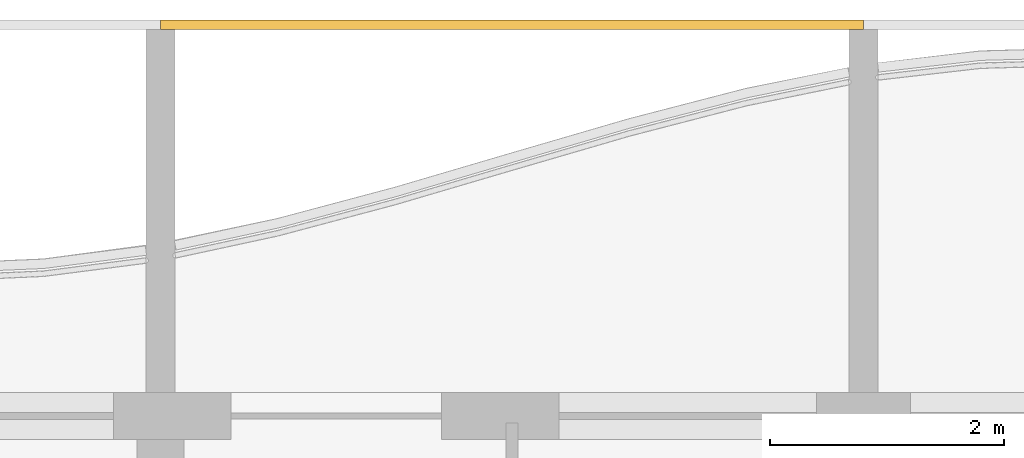
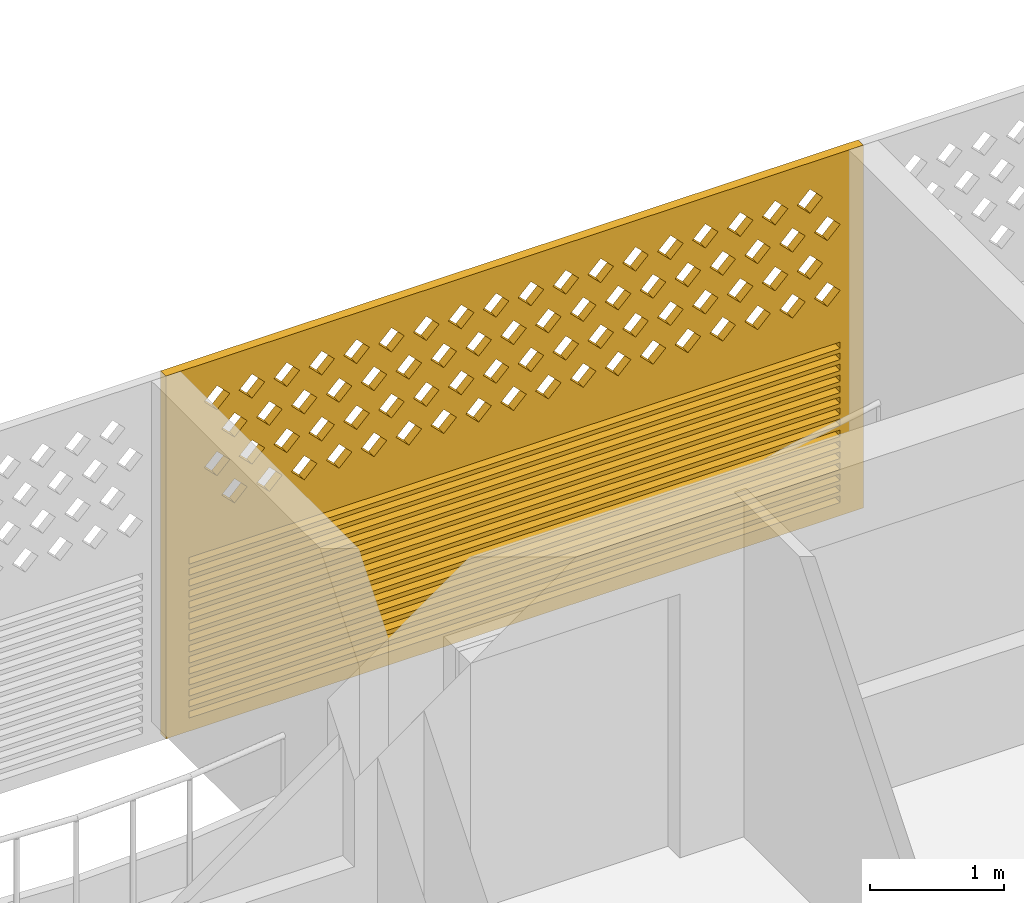
# One storey, part 33 of 44: 1 covering.
"""IFC4 building model written with IfcOpenShell, lengths in metres."""

from ifc_helpers import new_model, si_unit, direction, frame, origin, place, context, subcontext, project, spatial, polyline, outline, extrude, source, transform, mapped, material, material_profile, profile_set, type_object, element, save


model = new_model("IFC4")

# Units and contexts
model_context = context("Model", 3, precision=1e-05, world=origin(), true_north=direction((0.0, 1.0)))
body_context = subcontext(model_context, "Body", "Model", "MODEL_VIEW")
ifc_project = project(units=[si_unit("LENGTHUNIT", "METRE"), si_unit("AREAUNIT", "SQUARE_METRE"), si_unit("VOLUMEUNIT", "CUBIC_METRE"), si_unit("PLANEANGLEUNIT", "RADIAN"), si_unit("MASSUNIT", "GRAM", prefix="KILO")], contexts=[model_context])

# Site, building, storey
site_placement = place(None, origin())
site = spatial("IfcSite", under=ifc_project, at=site_placement, CompositionType="ELEMENT")
building_placement = place(site_placement, origin())
building = spatial("IfcBuilding", under=site, at=building_placement, Name="Poui Terraces", CompositionType="ELEMENT")
storey_placement = place(building_placement, frame((0.0, 0.0, 30.0)))
storey = spatial("IfcBuildingStorey", under=building, at=storey_placement, Name="L07", CompositionType="ELEMENT", Elevation=30.0)

# Covering
ifc_material = material(Name="Terracotta screen", Category="masonry")
ifc_material_profile = material_profile(ifc_material, outline(polyline([(-3.0, -1.64990234375), (3.0, -1.64990234375), (3.0, 1.64990234375), (-3.0, 1.64990234375), (-3.0, -1.64990234375)]), holes=[polyline([(-2.800048828125, 0.39990234375), (-2.68994140625, 0.2900390625), (-2.580078125, 0.39990234375), (-2.68994140625, 0.510009765625), (-2.800048828125, 0.39990234375)]), polyline([(-2.5, 0.39990234375), (-2.389892578125, 0.2900390625), (-2.280029296875, 0.39990234375), (-2.389892578125, 0.510009765625), (-2.5, 0.39990234375)]), polyline([(-2.199951171875, 0.39990234375), (-2.090087890625, 0.2900390625), (-1.97998046875, 0.39990234375), (-2.090087890625, 0.510009765625), (-2.199951171875, 0.39990234375)]), polyline([(-1.89990234375, 0.39990234375), (-1.7900390625, 0.2900390625), (-1.679931640625, 0.39990234375), (-1.7900390625, 0.510009765625), (-1.89990234375, 0.39990234375)]), polyline([(-1.60009765625, 0.39990234375), (-1.489990234375, 0.2900390625), (-1.3798828125, 0.39990234375), (-1.489990234375, 0.510009765625), (-1.60009765625, 0.39990234375)]), polyline([(-1.300048828125, 0.39990234375), (-1.18994140625, 0.2900390625), (-1.080078125, 0.39990234375), (-1.18994140625, 0.510009765625), (-1.300048828125, 0.39990234375)]), polyline([(-1.0, 0.39990234375), (-0.889892578125, 0.2900390625), (-0.780029296875, 0.39990234375), (-0.889892578125, 0.510009765625), (-1.0, 0.39990234375)]), polyline([(-0.699951171875, 0.39990234375), (-0.590087890625, 0.2900390625), (-0.47998046875, 0.39990234375), (-0.590087890625, 0.510009765625), (-0.699951171875, 0.39990234375)]), polyline([(-0.39990234375, 0.39990234375), (-0.2900390625, 0.2900390625), (-0.179931640625, 0.39990234375), (-0.2900390625, 0.510009765625), (-0.39990234375, 0.39990234375)]), polyline([(-0.10009765625, 0.39990234375), (0.010009765625, 0.2900390625), (0.1201171875, 0.39990234375), (0.010009765625, 0.510009765625), (-0.10009765625, 0.39990234375)]), polyline([(0.199951171875, 0.39990234375), (0.31005859375, 0.2900390625), (0.419921875, 0.39990234375), (0.31005859375, 0.510009765625), (0.199951171875, 0.39990234375)]), polyline([(0.5, 0.39990234375), (0.610107421875, 0.2900390625), (0.719970703125, 0.39990234375), (0.610107421875, 0.510009765625), (0.5, 0.39990234375)]), polyline([(0.800048828125, 0.39990234375), (0.909912109375, 0.2900390625), (1.02001953125, 0.39990234375), (0.909912109375, 0.510009765625), (0.800048828125, 0.39990234375)]), polyline([(1.10009765625, 0.39990234375), (1.2099609375, 0.2900390625), (1.320068359375, 0.39990234375), (1.2099609375, 0.510009765625), (1.10009765625, 0.39990234375)]), polyline([(1.39990234375, 0.39990234375), (1.510009765625, 0.2900390625), (1.6201171875, 0.39990234375), (1.510009765625, 0.510009765625), (1.39990234375, 0.39990234375)]), polyline([(1.699951171875, 0.39990234375), (1.81005859375, 0.2900390625), (1.919921875, 0.39990234375), (1.81005859375, 0.510009765625), (1.699951171875, 0.39990234375)]), polyline([(2.0, 0.39990234375), (2.110107421875, 0.2900390625), (2.219970703125, 0.39990234375), (2.110107421875, 0.510009765625), (2.0, 0.39990234375)]), polyline([(2.300048828125, 0.39990234375), (2.409912109375, 0.2900390625), (2.52001953125, 0.39990234375), (2.409912109375, 0.510009765625), (2.300048828125, 0.39990234375)]), polyline([(-2.64990234375, 0.699951171875), (-2.5400390625, 0.590087890625), (-2.429931640625, 0.699951171875), (-2.5400390625, 0.81005859375), (-2.64990234375, 0.699951171875)]), polyline([(-2.35009765625, 0.699951171875), (-2.239990234375, 0.590087890625), (-2.1298828125, 0.699951171875), (-2.239990234375, 0.81005859375), (-2.35009765625, 0.699951171875)]), polyline([(-2.050048828125, 0.699951171875), (-1.93994140625, 0.590087890625), (-1.830078125, 0.699951171875), (-1.93994140625, 0.81005859375), (-2.050048828125, 0.699951171875)]), polyline([(-1.75, 0.699951171875), (-1.639892578125, 0.590087890625), (-1.530029296875, 0.699951171875), (-1.639892578125, 0.81005859375), (-1.75, 0.699951171875)]), polyline([(-1.449951171875, 0.699951171875), (-1.340087890625, 0.590087890625), (-1.22998046875, 0.699951171875), (-1.340087890625, 0.81005859375), (-1.449951171875, 0.699951171875)]), polyline([(-1.14990234375, 0.699951171875), (-1.0400390625, 0.590087890625), (-0.929931640625, 0.699951171875), (-1.0400390625, 0.81005859375), (-1.14990234375, 0.699951171875)]), polyline([(-0.85009765625, 0.699951171875), (-0.739990234375, 0.590087890625), (-0.6298828125, 0.699951171875), (-0.739990234375, 0.81005859375), (-0.85009765625, 0.699951171875)]), polyline([(-0.550048828125, 0.699951171875), (-0.43994140625, 0.590087890625), (-0.330078125, 0.699951171875), (-0.43994140625, 0.81005859375), (-0.550048828125, 0.699951171875)]), polyline([(-0.25, 0.699951171875), (-0.139892578125, 0.590087890625), (-0.030029296875, 0.699951171875), (-0.139892578125, 0.81005859375), (-0.25, 0.699951171875)]), polyline([(0.050048828125, 0.699951171875), (0.159912109375, 0.590087890625), (0.27001953125, 0.699951171875), (0.159912109375, 0.81005859375), (0.050048828125, 0.699951171875)]), polyline([(0.35009765625, 0.699951171875), (0.4599609375, 0.590087890625), (0.570068359375, 0.699951171875), (0.4599609375, 0.81005859375), (0.35009765625, 0.699951171875)]), polyline([(0.64990234375, 0.699951171875), (0.760009765625, 0.590087890625), (0.8701171875, 0.699951171875), (0.760009765625, 0.81005859375), (0.64990234375, 0.699951171875)]), polyline([(0.949951171875, 0.699951171875), (1.06005859375, 0.590087890625), (1.169921875, 0.699951171875), (1.06005859375, 0.81005859375), (0.949951171875, 0.699951171875)]), polyline([(1.25, 0.699951171875), (1.360107421875, 0.590087890625), (1.469970703125, 0.699951171875), (1.360107421875, 0.81005859375), (1.25, 0.699951171875)]), polyline([(1.550048828125, 0.699951171875), (1.659912109375, 0.590087890625), (1.77001953125, 0.699951171875), (1.659912109375, 0.81005859375), (1.550048828125, 0.699951171875)]), polyline([(1.85009765625, 0.699951171875), (1.9599609375, 0.590087890625), (2.070068359375, 0.699951171875), (1.9599609375, 0.81005859375), (1.85009765625, 0.699951171875)]), polyline([(2.14990234375, 0.699951171875), (2.260009765625, 0.590087890625), (2.3701171875, 0.699951171875), (2.260009765625, 0.81005859375), (2.14990234375, 0.699951171875)]), polyline([(2.449951171875, 0.699951171875), (2.56005859375, 0.590087890625), (2.669921875, 0.699951171875), (2.56005859375, 0.81005859375), (2.449951171875, 0.699951171875)]), polyline([(-2.800048828125, 1.0), (-2.68994140625, 0.889892578125), (-2.580078125, 1.0), (-2.68994140625, 1.110107421875), (-2.800048828125, 1.0)]), polyline([(-2.5, 1.0), (-2.389892578125, 0.889892578125), (-2.280029296875, 1.0), (-2.389892578125, 1.110107421875), (-2.5, 1.0)]), polyline([(-2.199951171875, 1.0), (-2.090087890625, 0.889892578125), (-1.97998046875, 1.0), (-2.090087890625, 1.110107421875), (-2.199951171875, 1.0)]), polyline([(-1.89990234375, 1.0), (-1.7900390625, 0.889892578125), (-1.679931640625, 1.0), (-1.7900390625, 1.110107421875), (-1.89990234375, 1.0)]), polyline([(-1.60009765625, 1.0), (-1.489990234375, 0.889892578125), (-1.3798828125, 1.0), (-1.489990234375, 1.110107421875), (-1.60009765625, 1.0)]), polyline([(-1.300048828125, 1.0), (-1.18994140625, 0.889892578125), (-1.080078125, 1.0), (-1.18994140625, 1.110107421875), (-1.300048828125, 1.0)]), polyline([(-1.0, 1.0), (-0.889892578125, 0.889892578125), (-0.780029296875, 1.0), (-0.889892578125, 1.110107421875), (-1.0, 1.0)]), polyline([(-0.699951171875, 1.0), (-0.590087890625, 0.889892578125), (-0.47998046875, 1.0), (-0.590087890625, 1.110107421875), (-0.699951171875, 1.0)]), polyline([(-0.39990234375, 1.0), (-0.2900390625, 0.889892578125), (-0.179931640625, 1.0), (-0.2900390625, 1.110107421875), (-0.39990234375, 1.0)]), polyline([(-0.10009765625, 1.0), (0.010009765625, 0.889892578125), (0.1201171875, 1.0), (0.010009765625, 1.110107421875), (-0.10009765625, 1.0)]), polyline([(0.199951171875, 1.0), (0.31005859375, 0.889892578125), (0.419921875, 1.0), (0.31005859375, 1.110107421875), (0.199951171875, 1.0)]), polyline([(0.5, 1.0), (0.610107421875, 0.889892578125), (0.719970703125, 1.0), (0.610107421875, 1.110107421875), (0.5, 1.0)]), polyline([(0.800048828125, 1.0), (0.909912109375, 0.889892578125), (1.02001953125, 1.0), (0.909912109375, 1.110107421875), (0.800048828125, 1.0)]), polyline([(1.10009765625, 1.0), (1.2099609375, 0.889892578125), (1.320068359375, 1.0), (1.2099609375, 1.110107421875), (1.10009765625, 1.0)]), polyline([(1.39990234375, 1.0), (1.510009765625, 0.889892578125), (1.6201171875, 1.0), (1.510009765625, 1.110107421875), (1.39990234375, 1.0)]), polyline([(1.699951171875, 1.0), (1.81005859375, 0.889892578125), (1.919921875, 1.0), (1.81005859375, 1.110107421875), (1.699951171875, 1.0)]), polyline([(2.0, 1.0), (2.110107421875, 0.889892578125), (2.219970703125, 1.0), (2.110107421875, 1.110107421875), (2.0, 1.0)]), polyline([(2.300048828125, 1.0), (2.409912109375, 0.889892578125), (2.52001953125, 1.0), (2.409912109375, 1.110107421875), (2.300048828125, 1.0)]), polyline([(-2.64990234375, 1.300048828125), (-2.5400390625, 1.18994140625), (-2.429931640625, 1.300048828125), (-2.5400390625, 1.409912109375), (-2.64990234375, 1.300048828125)]), polyline([(-2.35009765625, 1.300048828125), (-2.239990234375, 1.18994140625), (-2.1298828125, 1.300048828125), (-2.239990234375, 1.409912109375), (-2.35009765625, 1.300048828125)]), polyline([(-2.050048828125, 1.300048828125), (-1.93994140625, 1.18994140625), (-1.830078125, 1.300048828125), (-1.93994140625, 1.409912109375), (-2.050048828125, 1.300048828125)]), polyline([(-1.75, 1.300048828125), (-1.639892578125, 1.18994140625), (-1.530029296875, 1.300048828125), (-1.639892578125, 1.409912109375), (-1.75, 1.300048828125)]), polyline([(-1.449951171875, 1.300048828125), (-1.340087890625, 1.18994140625), (-1.22998046875, 1.300048828125), (-1.340087890625, 1.409912109375), (-1.449951171875, 1.300048828125)]), polyline([(-1.14990234375, 1.300048828125), (-1.0400390625, 1.18994140625), (-0.929931640625, 1.300048828125), (-1.0400390625, 1.409912109375), (-1.14990234375, 1.300048828125)]), polyline([(-0.85009765625, 1.300048828125), (-0.739990234375, 1.18994140625), (-0.6298828125, 1.300048828125), (-0.739990234375, 1.409912109375), (-0.85009765625, 1.300048828125)]), polyline([(-0.550048828125, 1.300048828125), (-0.43994140625, 1.18994140625), (-0.330078125, 1.300048828125), (-0.43994140625, 1.409912109375), (-0.550048828125, 1.300048828125)]), polyline([(-0.25, 1.300048828125), (-0.139892578125, 1.18994140625), (-0.030029296875, 1.300048828125), (-0.139892578125, 1.409912109375), (-0.25, 1.300048828125)]), polyline([(0.050048828125, 1.300048828125), (0.159912109375, 1.18994140625), (0.27001953125, 1.300048828125), (0.159912109375, 1.409912109375), (0.050048828125, 1.300048828125)]), polyline([(0.35009765625, 1.300048828125), (0.4599609375, 1.18994140625), (0.570068359375, 1.300048828125), (0.4599609375, 1.409912109375), (0.35009765625, 1.300048828125)]), polyline([(0.64990234375, 1.300048828125), (0.760009765625, 1.18994140625), (0.8701171875, 1.300048828125), (0.760009765625, 1.409912109375), (0.64990234375, 1.300048828125)]), polyline([(0.949951171875, 1.300048828125), (1.06005859375, 1.18994140625), (1.169921875, 1.300048828125), (1.06005859375, 1.409912109375), (0.949951171875, 1.300048828125)]), polyline([(1.25, 1.300048828125), (1.360107421875, 1.18994140625), (1.469970703125, 1.300048828125), (1.360107421875, 1.409912109375), (1.25, 1.300048828125)]), polyline([(1.550048828125, 1.300048828125), (1.659912109375, 1.18994140625), (1.77001953125, 1.300048828125), (1.659912109375, 1.409912109375), (1.550048828125, 1.300048828125)]), polyline([(1.85009765625, 1.300048828125), (1.9599609375, 1.18994140625), (2.070068359375, 1.300048828125), (1.9599609375, 1.409912109375), (1.85009765625, 1.300048828125)]), polyline([(2.14990234375, 1.300048828125), (2.260009765625, 1.18994140625), (2.3701171875, 1.300048828125), (2.260009765625, 1.409912109375), (2.14990234375, 1.300048828125)]), polyline([(2.449951171875, 1.300048828125), (2.56005859375, 1.18994140625), (2.669921875, 1.300048828125), (2.56005859375, 1.409912109375), (2.449951171875, 1.300048828125)]), polyline([(-2.800048828125, -1.530029296875), (2.800048828125, -1.530029296875), (2.800048828125, -1.469970703125), (-2.800048828125, -1.469970703125), (-2.800048828125, -1.530029296875)]), polyline([(-2.800048828125, -1.429931640625), (2.800048828125, -1.429931640625), (2.800048828125, -1.3701171875), (-2.800048828125, -1.3701171875), (-2.800048828125, -1.429931640625)]), polyline([(-2.800048828125, -1.330078125), (2.800048828125, -1.330078125), (2.800048828125, -1.27001953125), (-2.800048828125, -1.27001953125), (-2.800048828125, -1.330078125)]), polyline([(-2.800048828125, -1.22998046875), (2.800048828125, -1.22998046875), (2.800048828125, -1.169921875), (-2.800048828125, -1.169921875), (-2.800048828125, -1.22998046875)]), polyline([(-2.800048828125, -1.1298828125), (2.800048828125, -1.1298828125), (2.800048828125, -1.070068359375), (-2.800048828125, -1.070068359375), (-2.800048828125, -1.1298828125)]), polyline([(-2.800048828125, -1.030029296875), (2.800048828125, -1.030029296875), (2.800048828125, -0.969970703125), (-2.800048828125, -0.969970703125), (-2.800048828125, -1.030029296875)]), polyline([(-2.800048828125, -0.929931640625), (2.800048828125, -0.929931640625), (2.800048828125, -0.8701171875), (-2.800048828125, -0.8701171875), (-2.800048828125, -0.929931640625)]), polyline([(-2.800048828125, -0.830078125), (2.800048828125, -0.830078125), (2.800048828125, -0.77001953125), (-2.800048828125, -0.77001953125), (-2.800048828125, -0.830078125)]), polyline([(-2.800048828125, -0.72998046875), (2.800048828125, -0.72998046875), (2.800048828125, -0.669921875), (-2.800048828125, -0.669921875), (-2.800048828125, -0.72998046875)]), polyline([(-2.800048828125, -0.6298828125), (2.800048828125, -0.6298828125), (2.800048828125, -0.570068359375), (-2.800048828125, -0.570068359375), (-2.800048828125, -0.6298828125)]), polyline([(-2.800048828125, -0.530029296875), (2.800048828125, -0.530029296875), (2.800048828125, -0.469970703125), (-2.800048828125, -0.469970703125), (-2.800048828125, -0.530029296875)]), polyline([(-2.800048828125, -0.429931640625), (2.800048828125, -0.429931640625), (2.800048828125, -0.3701171875), (-2.800048828125, -0.3701171875), (-2.800048828125, -0.429931640625)]), polyline([(-2.800048828125, -0.330078125), (2.800048828125, -0.330078125), (2.800048828125, -0.27001953125), (-2.800048828125, -0.27001953125), (-2.800048828125, -0.330078125)]), polyline([(-2.800048828125, -0.22998046875), (2.800048828125, -0.22998046875), (2.800048828125, -0.169921875), (-2.800048828125, -0.169921875), (-2.800048828125, -0.22998046875)]), polyline([(-2.800048828125, -0.1298828125), (2.800048828125, -0.1298828125), (2.800048828125, -0.070068359375), (-2.800048828125, -0.070068359375), (-2.800048828125, -0.1298828125)])]), Name="TERRACOTTA SCREEN AND JALOUSIE LOUVRE 6000X3300")
ifc_profile_set = profile_set([ifc_material_profile], Name="Terracotta screen")
covering_type = type_object("IfcCoveringType", Name="TERRACOTTA SCREEN AND JALOUSIE LOUVRE 6000X3300", PredefinedType="CLADDING", material=ifc_profile_set)
shared_shape = source(origin(), body_context, "Body", "SweptSolid", [
    extrude(outline(polyline([(-3.0, -1.64990234375), (3.0, -1.64990234375), (3.0, 1.64990234375), (-3.0, 1.64990234375), (-3.0, -1.64990234375)]), holes=[polyline([(-2.800048828125, 0.39990234375), (-2.68994140625, 0.2900390625), (-2.580078125, 0.39990234375), (-2.68994140625, 0.510009765625), (-2.800048828125, 0.39990234375)]), polyline([(-2.5, 0.39990234375), (-2.389892578125, 0.2900390625), (-2.280029296875, 0.39990234375), (-2.389892578125, 0.510009765625), (-2.5, 0.39990234375)]), polyline([(-2.199951171875, 0.39990234375), (-2.090087890625, 0.2900390625), (-1.97998046875, 0.39990234375), (-2.090087890625, 0.510009765625), (-2.199951171875, 0.39990234375)]), polyline([(-1.89990234375, 0.39990234375), (-1.7900390625, 0.2900390625), (-1.679931640625, 0.39990234375), (-1.7900390625, 0.510009765625), (-1.89990234375, 0.39990234375)]), polyline([(-1.60009765625, 0.39990234375), (-1.489990234375, 0.2900390625), (-1.3798828125, 0.39990234375), (-1.489990234375, 0.510009765625), (-1.60009765625, 0.39990234375)]), polyline([(-1.300048828125, 0.39990234375), (-1.18994140625, 0.2900390625), (-1.080078125, 0.39990234375), (-1.18994140625, 0.510009765625), (-1.300048828125, 0.39990234375)]), polyline([(-1.0, 0.39990234375), (-0.889892578125, 0.2900390625), (-0.780029296875, 0.39990234375), (-0.889892578125, 0.510009765625), (-1.0, 0.39990234375)]), polyline([(-0.699951171875, 0.39990234375), (-0.590087890625, 0.2900390625), (-0.47998046875, 0.39990234375), (-0.590087890625, 0.510009765625), (-0.699951171875, 0.39990234375)]), polyline([(-0.39990234375, 0.39990234375), (-0.2900390625, 0.2900390625), (-0.179931640625, 0.39990234375), (-0.2900390625, 0.510009765625), (-0.39990234375, 0.39990234375)]), polyline([(-0.10009765625, 0.39990234375), (0.010009765625, 0.2900390625), (0.1201171875, 0.39990234375), (0.010009765625, 0.510009765625), (-0.10009765625, 0.39990234375)]), polyline([(0.199951171875, 0.39990234375), (0.31005859375, 0.2900390625), (0.419921875, 0.39990234375), (0.31005859375, 0.510009765625), (0.199951171875, 0.39990234375)]), polyline([(0.5, 0.39990234375), (0.610107421875, 0.2900390625), (0.719970703125, 0.39990234375), (0.610107421875, 0.510009765625), (0.5, 0.39990234375)]), polyline([(0.800048828125, 0.39990234375), (0.909912109375, 0.2900390625), (1.02001953125, 0.39990234375), (0.909912109375, 0.510009765625), (0.800048828125, 0.39990234375)]), polyline([(1.10009765625, 0.39990234375), (1.2099609375, 0.2900390625), (1.320068359375, 0.39990234375), (1.2099609375, 0.510009765625), (1.10009765625, 0.39990234375)]), polyline([(1.39990234375, 0.39990234375), (1.510009765625, 0.2900390625), (1.6201171875, 0.39990234375), (1.510009765625, 0.510009765625), (1.39990234375, 0.39990234375)]), polyline([(1.699951171875, 0.39990234375), (1.81005859375, 0.2900390625), (1.919921875, 0.39990234375), (1.81005859375, 0.510009765625), (1.699951171875, 0.39990234375)]), polyline([(2.0, 0.39990234375), (2.110107421875, 0.2900390625), (2.219970703125, 0.39990234375), (2.110107421875, 0.510009765625), (2.0, 0.39990234375)]), polyline([(2.300048828125, 0.39990234375), (2.409912109375, 0.2900390625), (2.52001953125, 0.39990234375), (2.409912109375, 0.510009765625), (2.300048828125, 0.39990234375)]), polyline([(-2.64990234375, 0.699951171875), (-2.5400390625, 0.590087890625), (-2.429931640625, 0.699951171875), (-2.5400390625, 0.81005859375), (-2.64990234375, 0.699951171875)]), polyline([(-2.35009765625, 0.699951171875), (-2.239990234375, 0.590087890625), (-2.1298828125, 0.699951171875), (-2.239990234375, 0.81005859375), (-2.35009765625, 0.699951171875)]), polyline([(-2.050048828125, 0.699951171875), (-1.93994140625, 0.590087890625), (-1.830078125, 0.699951171875), (-1.93994140625, 0.81005859375), (-2.050048828125, 0.699951171875)]), polyline([(-1.75, 0.699951171875), (-1.639892578125, 0.590087890625), (-1.530029296875, 0.699951171875), (-1.639892578125, 0.81005859375), (-1.75, 0.699951171875)]), polyline([(-1.449951171875, 0.699951171875), (-1.340087890625, 0.590087890625), (-1.22998046875, 0.699951171875), (-1.340087890625, 0.81005859375), (-1.449951171875, 0.699951171875)]), polyline([(-1.14990234375, 0.699951171875), (-1.0400390625, 0.590087890625), (-0.929931640625, 0.699951171875), (-1.0400390625, 0.81005859375), (-1.14990234375, 0.699951171875)]), polyline([(-0.85009765625, 0.699951171875), (-0.739990234375, 0.590087890625), (-0.6298828125, 0.699951171875), (-0.739990234375, 0.81005859375), (-0.85009765625, 0.699951171875)]), polyline([(-0.550048828125, 0.699951171875), (-0.43994140625, 0.590087890625), (-0.330078125, 0.699951171875), (-0.43994140625, 0.81005859375), (-0.550048828125, 0.699951171875)]), polyline([(-0.25, 0.699951171875), (-0.139892578125, 0.590087890625), (-0.030029296875, 0.699951171875), (-0.139892578125, 0.81005859375), (-0.25, 0.699951171875)]), polyline([(0.050048828125, 0.699951171875), (0.159912109375, 0.590087890625), (0.27001953125, 0.699951171875), (0.159912109375, 0.81005859375), (0.050048828125, 0.699951171875)]), polyline([(0.35009765625, 0.699951171875), (0.4599609375, 0.590087890625), (0.570068359375, 0.699951171875), (0.4599609375, 0.81005859375), (0.35009765625, 0.699951171875)]), polyline([(0.64990234375, 0.699951171875), (0.760009765625, 0.590087890625), (0.8701171875, 0.699951171875), (0.760009765625, 0.81005859375), (0.64990234375, 0.699951171875)]), polyline([(0.949951171875, 0.699951171875), (1.06005859375, 0.590087890625), (1.169921875, 0.699951171875), (1.06005859375, 0.81005859375), (0.949951171875, 0.699951171875)]), polyline([(1.25, 0.699951171875), (1.360107421875, 0.590087890625), (1.469970703125, 0.699951171875), (1.360107421875, 0.81005859375), (1.25, 0.699951171875)]), polyline([(1.550048828125, 0.699951171875), (1.659912109375, 0.590087890625), (1.77001953125, 0.699951171875), (1.659912109375, 0.81005859375), (1.550048828125, 0.699951171875)]), polyline([(1.85009765625, 0.699951171875), (1.9599609375, 0.590087890625), (2.070068359375, 0.699951171875), (1.9599609375, 0.81005859375), (1.85009765625, 0.699951171875)]), polyline([(2.14990234375, 0.699951171875), (2.260009765625, 0.590087890625), (2.3701171875, 0.699951171875), (2.260009765625, 0.81005859375), (2.14990234375, 0.699951171875)]), polyline([(2.449951171875, 0.699951171875), (2.56005859375, 0.590087890625), (2.669921875, 0.699951171875), (2.56005859375, 0.81005859375), (2.449951171875, 0.699951171875)]), polyline([(-2.800048828125, 1.0), (-2.68994140625, 0.889892578125), (-2.580078125, 1.0), (-2.68994140625, 1.110107421875), (-2.800048828125, 1.0)]), polyline([(-2.5, 1.0), (-2.389892578125, 0.889892578125), (-2.280029296875, 1.0), (-2.389892578125, 1.110107421875), (-2.5, 1.0)]), polyline([(-2.199951171875, 1.0), (-2.090087890625, 0.889892578125), (-1.97998046875, 1.0), (-2.090087890625, 1.110107421875), (-2.199951171875, 1.0)]), polyline([(-1.89990234375, 1.0), (-1.7900390625, 0.889892578125), (-1.679931640625, 1.0), (-1.7900390625, 1.110107421875), (-1.89990234375, 1.0)]), polyline([(-1.60009765625, 1.0), (-1.489990234375, 0.889892578125), (-1.3798828125, 1.0), (-1.489990234375, 1.110107421875), (-1.60009765625, 1.0)]), polyline([(-1.300048828125, 1.0), (-1.18994140625, 0.889892578125), (-1.080078125, 1.0), (-1.18994140625, 1.110107421875), (-1.300048828125, 1.0)]), polyline([(-1.0, 1.0), (-0.889892578125, 0.889892578125), (-0.780029296875, 1.0), (-0.889892578125, 1.110107421875), (-1.0, 1.0)]), polyline([(-0.699951171875, 1.0), (-0.590087890625, 0.889892578125), (-0.47998046875, 1.0), (-0.590087890625, 1.110107421875), (-0.699951171875, 1.0)]), polyline([(-0.39990234375, 1.0), (-0.2900390625, 0.889892578125), (-0.179931640625, 1.0), (-0.2900390625, 1.110107421875), (-0.39990234375, 1.0)]), polyline([(-0.10009765625, 1.0), (0.010009765625, 0.889892578125), (0.1201171875, 1.0), (0.010009765625, 1.110107421875), (-0.10009765625, 1.0)]), polyline([(0.199951171875, 1.0), (0.31005859375, 0.889892578125), (0.419921875, 1.0), (0.31005859375, 1.110107421875), (0.199951171875, 1.0)]), polyline([(0.5, 1.0), (0.610107421875, 0.889892578125), (0.719970703125, 1.0), (0.610107421875, 1.110107421875), (0.5, 1.0)]), polyline([(0.800048828125, 1.0), (0.909912109375, 0.889892578125), (1.02001953125, 1.0), (0.909912109375, 1.110107421875), (0.800048828125, 1.0)]), polyline([(1.10009765625, 1.0), (1.2099609375, 0.889892578125), (1.320068359375, 1.0), (1.2099609375, 1.110107421875), (1.10009765625, 1.0)]), polyline([(1.39990234375, 1.0), (1.510009765625, 0.889892578125), (1.6201171875, 1.0), (1.510009765625, 1.110107421875), (1.39990234375, 1.0)]), polyline([(1.699951171875, 1.0), (1.81005859375, 0.889892578125), (1.919921875, 1.0), (1.81005859375, 1.110107421875), (1.699951171875, 1.0)]), polyline([(2.0, 1.0), (2.110107421875, 0.889892578125), (2.219970703125, 1.0), (2.110107421875, 1.110107421875), (2.0, 1.0)]), polyline([(2.300048828125, 1.0), (2.409912109375, 0.889892578125), (2.52001953125, 1.0), (2.409912109375, 1.110107421875), (2.300048828125, 1.0)]), polyline([(-2.64990234375, 1.300048828125), (-2.5400390625, 1.18994140625), (-2.429931640625, 1.300048828125), (-2.5400390625, 1.409912109375), (-2.64990234375, 1.300048828125)]), polyline([(-2.35009765625, 1.300048828125), (-2.239990234375, 1.18994140625), (-2.1298828125, 1.300048828125), (-2.239990234375, 1.409912109375), (-2.35009765625, 1.300048828125)]), polyline([(-2.050048828125, 1.300048828125), (-1.93994140625, 1.18994140625), (-1.830078125, 1.300048828125), (-1.93994140625, 1.409912109375), (-2.050048828125, 1.300048828125)]), polyline([(-1.75, 1.300048828125), (-1.639892578125, 1.18994140625), (-1.530029296875, 1.300048828125), (-1.639892578125, 1.409912109375), (-1.75, 1.300048828125)]), polyline([(-1.449951171875, 1.300048828125), (-1.340087890625, 1.18994140625), (-1.22998046875, 1.300048828125), (-1.340087890625, 1.409912109375), (-1.449951171875, 1.300048828125)]), polyline([(-1.14990234375, 1.300048828125), (-1.0400390625, 1.18994140625), (-0.929931640625, 1.300048828125), (-1.0400390625, 1.409912109375), (-1.14990234375, 1.300048828125)]), polyline([(-0.85009765625, 1.300048828125), (-0.739990234375, 1.18994140625), (-0.6298828125, 1.300048828125), (-0.739990234375, 1.409912109375), (-0.85009765625, 1.300048828125)]), polyline([(-0.550048828125, 1.300048828125), (-0.43994140625, 1.18994140625), (-0.330078125, 1.300048828125), (-0.43994140625, 1.409912109375), (-0.550048828125, 1.300048828125)]), polyline([(-0.25, 1.300048828125), (-0.139892578125, 1.18994140625), (-0.030029296875, 1.300048828125), (-0.139892578125, 1.409912109375), (-0.25, 1.300048828125)]), polyline([(0.050048828125, 1.300048828125), (0.159912109375, 1.18994140625), (0.27001953125, 1.300048828125), (0.159912109375, 1.409912109375), (0.050048828125, 1.300048828125)]), polyline([(0.35009765625, 1.300048828125), (0.4599609375, 1.18994140625), (0.570068359375, 1.300048828125), (0.4599609375, 1.409912109375), (0.35009765625, 1.300048828125)]), polyline([(0.64990234375, 1.300048828125), (0.760009765625, 1.18994140625), (0.8701171875, 1.300048828125), (0.760009765625, 1.409912109375), (0.64990234375, 1.300048828125)]), polyline([(0.949951171875, 1.300048828125), (1.06005859375, 1.18994140625), (1.169921875, 1.300048828125), (1.06005859375, 1.409912109375), (0.949951171875, 1.300048828125)]), polyline([(1.25, 1.300048828125), (1.360107421875, 1.18994140625), (1.469970703125, 1.300048828125), (1.360107421875, 1.409912109375), (1.25, 1.300048828125)]), polyline([(1.550048828125, 1.300048828125), (1.659912109375, 1.18994140625), (1.77001953125, 1.300048828125), (1.659912109375, 1.409912109375), (1.550048828125, 1.300048828125)]), polyline([(1.85009765625, 1.300048828125), (1.9599609375, 1.18994140625), (2.070068359375, 1.300048828125), (1.9599609375, 1.409912109375), (1.85009765625, 1.300048828125)]), polyline([(2.14990234375, 1.300048828125), (2.260009765625, 1.18994140625), (2.3701171875, 1.300048828125), (2.260009765625, 1.409912109375), (2.14990234375, 1.300048828125)]), polyline([(2.449951171875, 1.300048828125), (2.56005859375, 1.18994140625), (2.669921875, 1.300048828125), (2.56005859375, 1.409912109375), (2.449951171875, 1.300048828125)]), polyline([(-2.800048828125, -1.530029296875), (2.800048828125, -1.530029296875), (2.800048828125, -1.469970703125), (-2.800048828125, -1.469970703125), (-2.800048828125, -1.530029296875)]), polyline([(-2.800048828125, -1.429931640625), (2.800048828125, -1.429931640625), (2.800048828125, -1.3701171875), (-2.800048828125, -1.3701171875), (-2.800048828125, -1.429931640625)]), polyline([(-2.800048828125, -1.330078125), (2.800048828125, -1.330078125), (2.800048828125, -1.27001953125), (-2.800048828125, -1.27001953125), (-2.800048828125, -1.330078125)]), polyline([(-2.800048828125, -1.22998046875), (2.800048828125, -1.22998046875), (2.800048828125, -1.169921875), (-2.800048828125, -1.169921875), (-2.800048828125, -1.22998046875)]), polyline([(-2.800048828125, -1.1298828125), (2.800048828125, -1.1298828125), (2.800048828125, -1.070068359375), (-2.800048828125, -1.070068359375), (-2.800048828125, -1.1298828125)]), polyline([(-2.800048828125, -1.030029296875), (2.800048828125, -1.030029296875), (2.800048828125, -0.969970703125), (-2.800048828125, -0.969970703125), (-2.800048828125, -1.030029296875)]), polyline([(-2.800048828125, -0.929931640625), (2.800048828125, -0.929931640625), (2.800048828125, -0.8701171875), (-2.800048828125, -0.8701171875), (-2.800048828125, -0.929931640625)]), polyline([(-2.800048828125, -0.830078125), (2.800048828125, -0.830078125), (2.800048828125, -0.77001953125), (-2.800048828125, -0.77001953125), (-2.800048828125, -0.830078125)]), polyline([(-2.800048828125, -0.72998046875), (2.800048828125, -0.72998046875), (2.800048828125, -0.669921875), (-2.800048828125, -0.669921875), (-2.800048828125, -0.72998046875)]), polyline([(-2.800048828125, -0.6298828125), (2.800048828125, -0.6298828125), (2.800048828125, -0.570068359375), (-2.800048828125, -0.570068359375), (-2.800048828125, -0.6298828125)]), polyline([(-2.800048828125, -0.530029296875), (2.800048828125, -0.530029296875), (2.800048828125, -0.469970703125), (-2.800048828125, -0.469970703125), (-2.800048828125, -0.530029296875)]), polyline([(-2.800048828125, -0.429931640625), (2.800048828125, -0.429931640625), (2.800048828125, -0.3701171875), (-2.800048828125, -0.3701171875), (-2.800048828125, -0.429931640625)]), polyline([(-2.800048828125, -0.330078125), (2.800048828125, -0.330078125), (2.800048828125, -0.27001953125), (-2.800048828125, -0.27001953125), (-2.800048828125, -0.330078125)]), polyline([(-2.800048828125, -0.22998046875), (2.800048828125, -0.22998046875), (2.800048828125, -0.169921875), (-2.800048828125, -0.169921875), (-2.800048828125, -0.22998046875)]), polyline([(-2.800048828125, -0.1298828125), (2.800048828125, -0.1298828125), (2.800048828125, -0.070068359375), (-2.800048828125, -0.070068359375), (-2.800048828125, -0.1298828125)])]), origin(), (0.0, 0.0, 1.0), 0.079833984375),
])
covering_placement = place(storey_placement, frame((51.0, 48.10009765625, 1.449951171875), z_axis=(0.0, 1.0, 0.0), x_axis=(-1.0, 0.0, 0.0)))
element("IfcCovering", 1, at=covering_placement, inside=storey, type_object=covering_type, Name="SOLAR SCREEN AND JALOUSIE LOUVRE", PredefinedType="CLADDING", context=body_context, shape_type="MappedRepresentation", body=[
    mapped(shared_shape, transform((0.0, 0.0, 0.0))),
])

save(model, "model.ifc")
